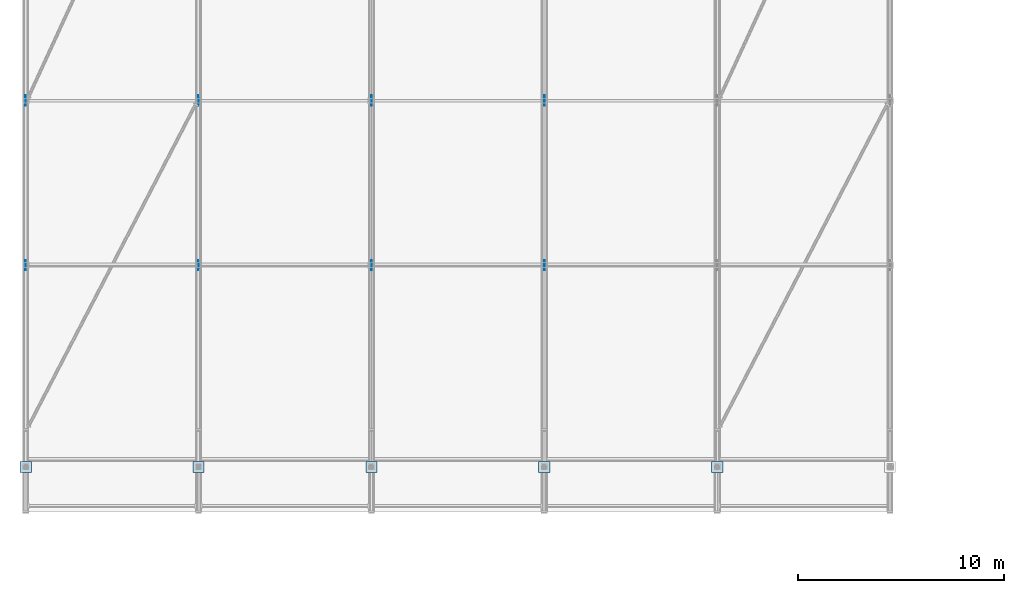
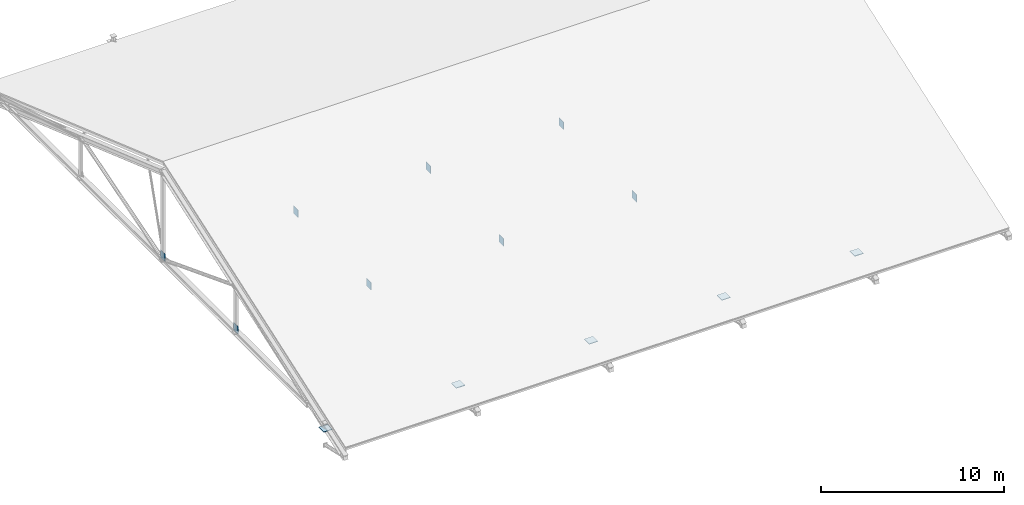
# One storey, part 32 of 57: 13 plates.
"""IFC4 building model written with IfcOpenShell, lengths in metres."""

from ifc_helpers import new_model, si_unit, direction, frame, origin, origin_2d, place, context, subcontext, project, spatial, rectangle, extrude, material, layer, layer_set, type_object, element, save


model = new_model("IFC4")

# Units and contexts
model_context = context("Model", 3, precision=1e-05, world=origin(), true_north=direction((0.0, 1.0)))
body_context = subcontext(model_context, "Body", "Model", "MODEL_VIEW")
ifc_project = project(units=[si_unit("LENGTHUNIT", "METRE"), si_unit("AREAUNIT", "SQUARE_METRE"), si_unit("VOLUMEUNIT", "CUBIC_METRE"), si_unit("PLANEANGLEUNIT", "RADIAN"), si_unit("MASSUNIT", "GRAM", prefix="KILO")], contexts=[model_context])

# Site, building, storey
site_placement = place(None, origin())
site = spatial("IfcSite", under=ifc_project, at=site_placement, CompositionType="ELEMENT")
building_placement = place(site_placement, origin())
building = spatial("IfcBuilding", under=site, at=building_placement, Name="Kelarvand Opera House", CompositionType="ELEMENT")
storey_placement = place(building_placement, frame((0.0, 0.0, 33.60009765625)))
storey = spatial("IfcBuildingStorey", under=building, at=storey_placement, Name="Roof", CompositionType="ELEMENT", Elevation=33.60009765625)

# Plates
ifc_material = material(Name="Steel S355", Category="steel")
ifc_layer_1 = layer(ifc_material, 0.035888671875, Name="Steel S355", Category="steel")
ifc_layer_set_1 = layer_set([ifc_layer_1], Name="Steel S355")
plate_type_1 = type_object("IfcPlateType", Name="Steel Truss Bearing Base Plate 36mm", PredefinedType="USERDEFINED", material=ifc_layer_set_1)
for number, where, z_axis, x_axis, name in (
    (1, (9.0, 87.199951171875, -14.10009765625), (0.0, 0.0, 1.0), (1.0, 0.0, 0.0), "V3 Roof Truss Bearing Plate 1S"),
    (2, (17.39990234375, 87.199951171875, -14.10009765625), (0.0, 0.0, 1.0), (1.0, 0.0, 0.0), "V3 Roof Truss Bearing Plate 2S"),
    (3, (25.800048828125, 87.199951171875, -14.10009765625), (0.0, 0.0, 1.0), (1.0, 0.0, 0.0), "V3 Roof Truss Bearing Plate 3S"),
    (4, (34.199951171875, 87.199951171875, -14.10009765625), (0.0, 0.0, 1.0), (1.0, 0.0, 0.0), "V3 Roof Truss Bearing Plate 4S"),
    (5, (42.60009765625, 87.199951171875, -14.10009765625), (0.0, 0.0, 1.0), (1.0, 0.0, 0.0), "V3 Roof Truss Bearing Plate 5S"),
):
    element("IfcPlate", number, at=place(storey_placement, frame(where, z_axis=z_axis, x_axis=x_axis)), inside=storey, type_object=plate_type_1, Name=name, ObjectType="BASE PLATE", PredefinedType="USERDEFINED", context=body_context, shape_type="SweptSolid", body=[
        extrude(rectangle(XDim=0.550048828125, YDim=0.550048828125, at=origin_2d()), origin(), (0.0, 0.0, 1.0), 0.035888671875),
    ])
ifc_layer_2 = layer(ifc_material, 0.02392578125, Name="Steel S355", Category="steel")
ifc_layer_set_2 = layer_set([ifc_layer_2], Name="Steel S355")
plate_type_2 = type_object("IfcPlateType", Name="Steel Truss Gusset Plate 24mm", PredefinedType="SHEET", material=ifc_layer_set_2)
for number, where, z_axis, x_axis, name in (
    (6, (9.0, 97.0, -13.580078125), (0.0, 0.0, 1.0), (1.0, 0.0, 0.0), "Roof Truss Gusset Plate 77"),
    (7, (9.0, 105.0, -13.580078125), (0.0, 0.0, 1.0), (1.0, 0.0, 0.0), "Roof Truss Gusset Plate 78"),
    (8, (17.39990234375, 97.0, -13.580078125), (0.0, 0.0, 1.0), (1.0, 0.0, 0.0), "Roof Truss Gusset Plate 80"),
    (9, (17.39990234375, 105.0, -13.580078125), (0.0, 0.0, 1.0), (1.0, 0.0, 0.0), "Roof Truss Gusset Plate 81"),
    (10, (25.800048828125, 97.0, -13.580078125), (0.0, 0.0, 1.0), (1.0, 0.0, 0.0), "Roof Truss Gusset Plate 83"),
    (11, (25.800048828125, 105.0, -13.580078125), (0.0, 0.0, 1.0), (1.0, 0.0, 0.0), "Roof Truss Gusset Plate 84"),
    (12, (34.199951171875, 97.0, -13.580078125), (0.0, 0.0, 1.0), (1.0, 0.0, 0.0), "Roof Truss Gusset Plate 86"),
    (13, (34.199951171875, 105.0, -13.580078125), (0.0, 0.0, 1.0), (1.0, 0.0, 0.0), "Roof Truss Gusset Plate 87"),
):
    element("IfcPlate", number, at=place(storey_placement, frame(where, z_axis=z_axis, x_axis=x_axis)), inside=storey, type_object=plate_type_2, Name=name, PredefinedType="SHEET", context=body_context, shape_type="SweptSolid", body=[
        extrude(rectangle(XDim=0.02392578125, YDim=0.5, at=origin_2d()), origin(), (0.0, 0.0, 1.0), 0.5),
    ])

save(model, "model.ifc")
